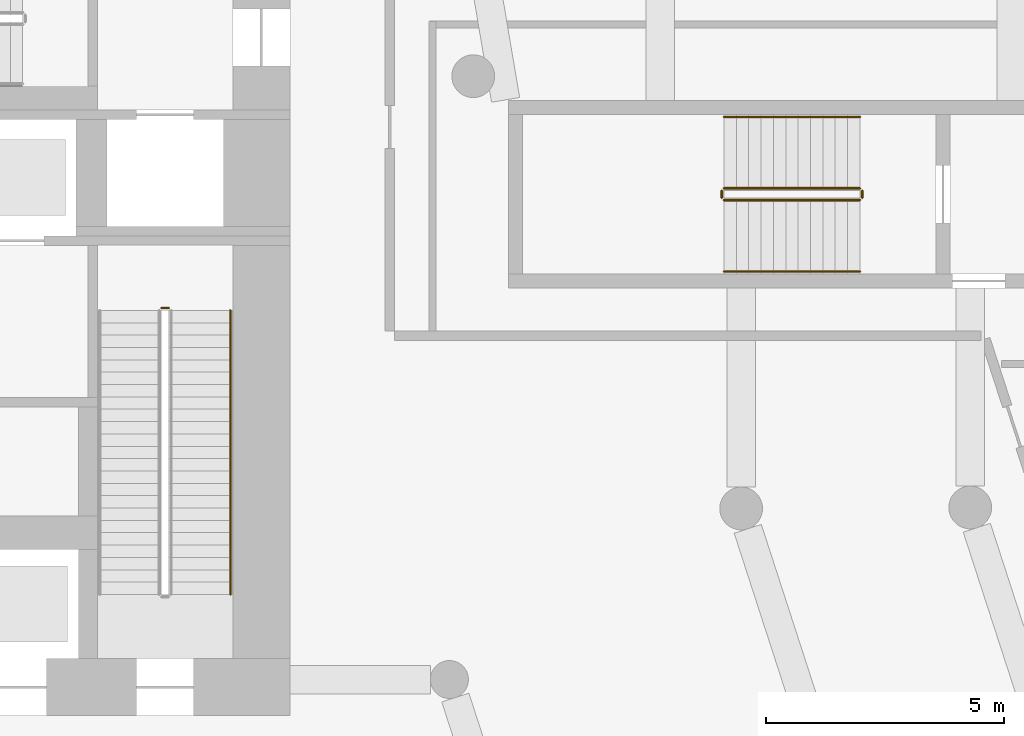
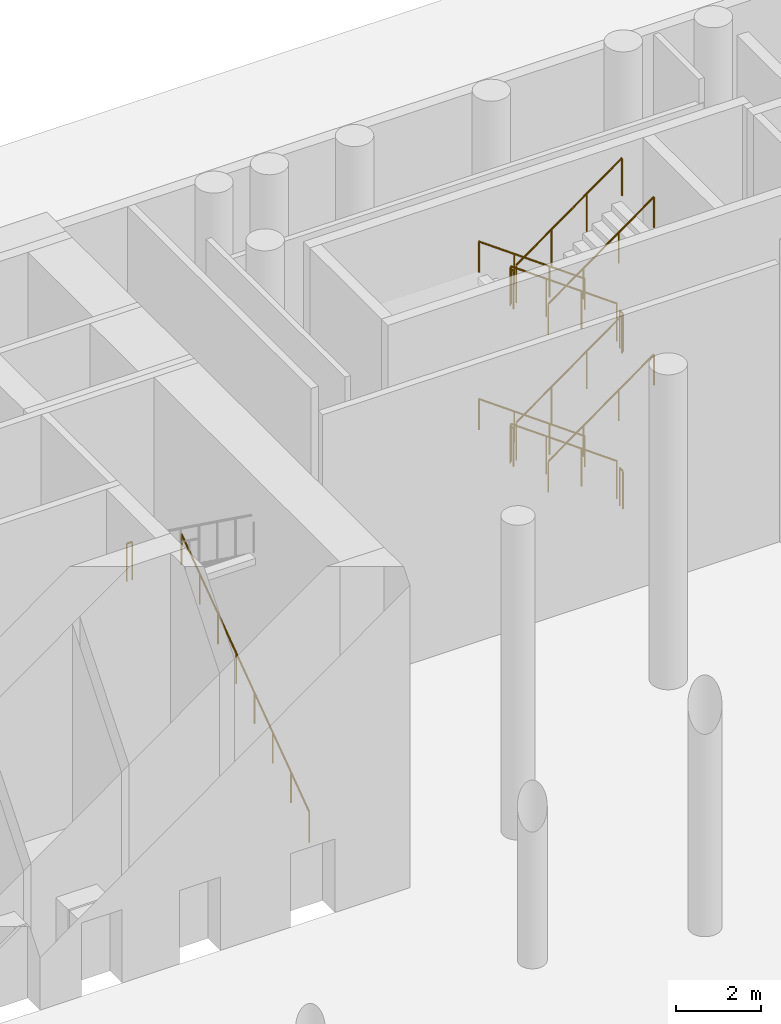
# One storey, part 24 of 25: 14 railings.
"""IFC4 building model written with IfcOpenShell, lengths in metres."""

from ifc_helpers import new_model, si_unit, direction, frame, origin, origin_2d, place, context, subcontext, project, spatial, circle, extrude, material, type_object, element, save


model = new_model("IFC4")

# Units and contexts
model_context = context("Model", 3, precision=1e-05, world=origin(), true_north=direction((0.0, 1.0)))
body_context = subcontext(model_context, "Body", "Model", "MODEL_VIEW")
ifc_project = project(units=[si_unit("LENGTHUNIT", "METRE"), si_unit("AREAUNIT", "SQUARE_METRE"), si_unit("VOLUMEUNIT", "CUBIC_METRE"), si_unit("PLANEANGLEUNIT", "RADIAN"), si_unit("MASSUNIT", "GRAM", prefix="KILO")], contexts=[model_context])

# Site, building, storey
site_placement = place(None, origin())
site = spatial("IfcSite", under=ifc_project, at=site_placement, CompositionType="ELEMENT")
building_placement = place(site_placement, origin())
building = spatial("IfcBuilding", under=site, at=building_placement, Name="White Candle Pilgrim Tower", CompositionType="ELEMENT")
storey_placement = place(building_placement, origin())
storey = spatial("IfcBuildingStorey", under=building, at=storey_placement, Name="L00", CompositionType="ELEMENT", Elevation=0.0)

# Railings
ifc_material = material(Name="Stainless steel", Category="steel")
railing_type_1 = type_object("IfcRailingType", Name="Stair guard stainless steel 1100 mm", PredefinedType="GUARDRAIL", material=ifc_material)
railing_1_placement = place(storey_placement, frame((78.449951171875, 79.580078125, 4.5)))
element("IfcRailing", 1, at=railing_1_placement, inside=storey, type_object=railing_type_1, Name="L00 ST2 stair guard 2", PredefinedType="GUARDRAIL", context=body_context, shape_type="SweptSolid", body=[
    extrude(circle(Radius=0.02392578125, at=origin_2d()), frame((0.0, 0.0, 1.076171875), z_axis=(-1.0, 0.0, 0.0), x_axis=(0.0, -1.0, 0.0)), (0.0, 0.0, 1.0), 0.14990234375),
    extrude(circle(Radius=0.02099609375, at=origin_2d()), origin(), (0.0, 0.0, 1.0), 1.052001953125),
    extrude(circle(Radius=0.02099609375, at=origin_2d()), frame((-0.14990234375, 0.0, 0.0)), (0.0, 0.0, 1.0), 1.052001953125),
])
railing_2_placement = place(storey_placement, frame((93.0, 82.10009765625, 0.1875)))
element("IfcRailing", 2, at=railing_2_placement, inside=storey, type_object=railing_type_1, Name="L00 ST11 stair guard 1", PredefinedType="GUARDRAIL", context=body_context, shape_type="SweptSolid", body=[
    extrude(circle(Radius=0.02392578125, at=origin_2d()), frame((0.0, 0.0, 1.076171875), z_axis=(-0.811100754333, 0.0, 0.584906459462), x_axis=(0.0, -1.0, 0.0)), (0.0, 0.0, 1.0), 3.526123046875),
    extrude(circle(Radius=0.02099609375, at=origin_2d()), origin(), (0.0, 0.0, 1.0), 1.052001953125),
    extrude(circle(Radius=0.02099609375, at=origin_2d()), frame((-0.953369140625, 0.0, 0.6875)), (0.0, 0.0, 1.0), 1.052001953125),
    extrude(circle(Radius=0.02099609375, at=origin_2d()), frame((-1.90673828125, 0.0, 1.375)), (0.0, 0.0, 1.0), 1.052001953125),
    extrude(circle(Radius=0.02099609375, at=origin_2d()), frame((-2.860107421875, 0.0, 2.0625)), (0.0, 0.0, 1.0), 1.052001953125),
])
railing_3_placement = place(storey_placement, frame((90.090087890625, 82.050048828125, 2.25)))
element("IfcRailing", 3, at=railing_3_placement, inside=storey, type_object=railing_type_1, Name="L00 ST11 stair guard 2", PredefinedType="GUARDRAIL", context=body_context, shape_type="SweptSolid", body=[
    extrude(circle(Radius=0.02392578125, at=origin_2d()), frame((0.0, 0.0, 1.076171875), z_axis=(0.0, -1.0, 0.0), x_axis=(1.0, 0.0, 0.0)), (0.0, 0.0, 1.0), 0.150146484375),
    extrude(circle(Radius=0.02099609375, at=origin_2d()), origin(), (0.0, 0.0, 1.0), 1.052001953125),
    extrude(circle(Radius=0.02099609375, at=origin_2d()), frame((0.0, -0.150146484375, 0.0)), (0.0, 0.0, 1.0), 1.052001953125),
])
railing_4_placement = place(storey_placement, frame((90.139892578125, 81.85009765625, 2.4375)))
element("IfcRailing", 4, at=railing_4_placement, inside=storey, type_object=railing_type_1, Name="L00 ST11 stair guard 3", PredefinedType="GUARDRAIL", context=body_context, shape_type="SweptSolid", body=[
    extrude(circle(Radius=0.02392578125, at=origin_2d()), frame((0.0, 0.0, 1.076171875), z_axis=(0.811100754333, 0.0, 0.584906459462), x_axis=(0.0, 1.0, 0.0)), (0.0, 0.0, 1.0), 3.526123046875),
    extrude(circle(Radius=0.02099609375, at=origin_2d()), origin(), (0.0, 0.0, 1.0), 1.052001953125),
    extrude(circle(Radius=0.02099609375, at=origin_2d()), frame((0.953369140625, 0.0, 0.6875)), (0.0, 0.0, 1.0), 1.052001953125),
    extrude(circle(Radius=0.02099609375, at=origin_2d()), frame((1.90673828125, 0.0, 1.375)), (0.0, 0.0, 1.0), 1.052001953125),
    extrude(circle(Radius=0.02099609375, at=origin_2d()), frame((2.860107421875, 0.0, 2.0625)), (0.0, 0.0, 1.0), 1.052001953125),
])
railing_5_placement = place(storey_placement, frame((93.050048828125, 82.050048828125, 4.5)))
element("IfcRailing", 5, at=railing_5_placement, inside=storey, type_object=railing_type_1, Name="L00 ST11 stair guard 4", PredefinedType="GUARDRAIL", context=body_context, shape_type="SweptSolid", body=[
    extrude(circle(Radius=0.02392578125, at=origin_2d()), frame((0.0, 0.0, 1.076171875), z_axis=(0.0, -1.0, 0.0), x_axis=(1.0, 0.0, 0.0)), (0.0, 0.0, 1.0), 0.150146484375),
    extrude(circle(Radius=0.02099609375, at=origin_2d()), origin(), (0.0, 0.0, 1.0), 1.052001953125),
    extrude(circle(Radius=0.02099609375, at=origin_2d()), frame((0.0, -0.150146484375, 0.0)), (0.0, 0.0, 1.0), 1.052001953125),
])
railing_6_placement = place(storey_placement, frame((93.0, 82.10009765625, 4.6875)))
element("IfcRailing", 6, at=railing_6_placement, inside=storey, type_object=railing_type_1, Name="L00 ST11 stair guard 5", PredefinedType="GUARDRAIL", context=body_context, shape_type="SweptSolid", body=[
    extrude(circle(Radius=0.02392578125, at=origin_2d()), frame((0.0, 0.0, 1.076171875), z_axis=(-0.811100754333, 0.0, 0.584906459462), x_axis=(0.0, -1.0, 0.0)), (0.0, 0.0, 1.0), 3.526123046875),
    extrude(circle(Radius=0.02099609375, at=origin_2d()), origin(), (0.0, 0.0, 1.0), 1.052001953125),
    extrude(circle(Radius=0.02099609375, at=origin_2d()), frame((-0.953369140625, 0.0, 0.6875)), (0.0, 0.0, 1.0), 1.052001953125),
    extrude(circle(Radius=0.02099609375, at=origin_2d()), frame((-1.90673828125, 0.0, 1.375)), (0.0, 0.0, 1.0), 1.052001953125),
    extrude(circle(Radius=0.02099609375, at=origin_2d()), frame((-2.860107421875, 0.0, 2.0625)), (0.0, 0.0, 1.0), 1.052001953125),
])
railing_7_placement = place(storey_placement, frame((90.090087890625, 82.050048828125, 6.75)))
element("IfcRailing", 7, at=railing_7_placement, inside=storey, type_object=railing_type_1, Name="L00 ST11 stair guard 6", PredefinedType="GUARDRAIL", context=body_context, shape_type="SweptSolid", body=[
    extrude(circle(Radius=0.02392578125, at=origin_2d()), frame((0.0, 0.0, 1.076171875), z_axis=(0.0, -1.0, 0.0), x_axis=(1.0, 0.0, 0.0)), (0.0, 0.0, 1.0), 0.150146484375),
    extrude(circle(Radius=0.02099609375, at=origin_2d()), origin(), (0.0, 0.0, 1.0), 1.052001953125),
    extrude(circle(Radius=0.02099609375, at=origin_2d()), frame((0.0, -0.150146484375, 0.0)), (0.0, 0.0, 1.0), 1.052001953125),
])
railing_8_placement = place(storey_placement, frame((90.139892578125, 81.85009765625, 6.9375)))
element("IfcRailing", 8, at=railing_8_placement, inside=storey, type_object=railing_type_1, Name="L00 ST11 stair guard 7", PredefinedType="GUARDRAIL", context=body_context, shape_type="SweptSolid", body=[
    extrude(circle(Radius=0.02392578125, at=origin_2d()), frame((0.0, 0.0, 1.076171875), z_axis=(0.811100754333, 0.0, 0.584906459462), x_axis=(0.0, 1.0, 0.0)), (0.0, 0.0, 1.0), 3.526123046875),
    extrude(circle(Radius=0.02099609375, at=origin_2d()), origin(), (0.0, 0.0, 1.0), 1.052001953125),
    extrude(circle(Radius=0.02099609375, at=origin_2d()), frame((0.953369140625, 0.0, 0.6875)), (0.0, 0.0, 1.0), 1.052001953125),
    extrude(circle(Radius=0.02099609375, at=origin_2d()), frame((1.90673828125, 0.0, 1.375)), (0.0, 0.0, 1.0), 1.052001953125),
    extrude(circle(Radius=0.02099609375, at=origin_2d()), frame((2.860107421875, 0.0, 2.0625)), (0.0, 0.0, 1.0), 1.052001953125),
])
railing_9_placement = place(storey_placement, frame((93.050048828125, 82.050048828125, 0.0)))
element("IfcRailing", 9, at=railing_9_placement, inside=storey, type_object=railing_type_1, Name="L00 ST11 stair guard 8", PredefinedType="GUARDRAIL", context=body_context, shape_type="SweptSolid", body=[
    extrude(circle(Radius=0.02392578125, at=origin_2d()), frame((0.0, 0.0, 1.076171875), z_axis=(0.0, -1.0, 0.0), x_axis=(1.0, 0.0, 0.0)), (0.0, 0.0, 1.0), 0.150146484375),
    extrude(circle(Radius=0.02099609375, at=origin_2d()), origin(), (0.0, 0.0, 1.0), 1.052001953125),
    extrude(circle(Radius=0.02099609375, at=origin_2d()), frame((0.0, -0.150146484375, 0.0)), (0.0, 0.0, 1.0), 1.052001953125),
])
railing_type_2 = type_object("IfcRailingType", Name="Stair handrail stainless steel", PredefinedType="HANDRAIL", material=ifc_material)
railing_10_placement = place(storey_placement, frame((79.75, 73.550048828125, 0.1875)))
element("IfcRailing", 10, at=railing_10_placement, inside=storey, type_object=railing_type_2, Name="L00 ST2 stair handrail 1", PredefinedType="HANDRAIL", context=body_context, shape_type="SweptSolid", body=[
    extrude(circle(Radius=0.02392578125, at=origin_2d()), frame((0.0, 0.0, 0.8759765625), z_axis=(0.0, 0.811089425434, 0.584922169138), x_axis=(-1.0, 0.0, 0.0)), (0.0, 0.0, 1.0), 7.372802734375),
    extrude(circle(Radius=0.02099609375, at=origin_2d()), origin(), (0.0, 0.0, 1.0), 0.851806640625),
    extrude(circle(Radius=0.02099609375, at=origin_2d()), frame((0.0, 0.854248046875, 0.615966796875)), (0.0, 0.0, 1.0), 0.851806640625),
    extrude(circle(Radius=0.02099609375, at=origin_2d()), frame((0.0, 1.70849609375, 1.232177734375)), (0.0, 0.0, 1.0), 0.851806640625),
    extrude(circle(Radius=0.02099609375, at=origin_2d()), frame((0.0, 2.562744140625, 1.84814453125)), (0.0, 0.0, 1.0), 0.851806640625),
    extrude(circle(Radius=0.02099609375, at=origin_2d()), frame((0.0, 3.417236328125, 2.46435546875)), (0.0, 0.0, 1.0), 0.851806640625),
    extrude(circle(Radius=0.02099609375, at=origin_2d()), frame((0.0, 4.271484375, 3.080322265625)), (0.0, 0.0, 1.0), 0.851806640625),
    extrude(circle(Radius=0.02099609375, at=origin_2d()), frame((0.0, 5.125732421875, 3.696533203125)), (0.0, 0.0, 1.0), 0.851806640625),
    extrude(circle(Radius=0.02099609375, at=origin_2d()), frame((0.0, 5.97998046875, 4.3125)), (0.0, 0.0, 1.0), 0.851806640625),
])
railing_11_placement = place(storey_placement, frame((93.0, 83.60009765625, 0.1875)))
element("IfcRailing", 11, at=railing_11_placement, inside=storey, type_object=railing_type_2, Name="L00 ST11 stair handrail 1", PredefinedType="HANDRAIL", context=body_context, shape_type="SweptSolid", body=[
    extrude(circle(Radius=0.02392578125, at=origin_2d()), frame((0.0, 0.0, 0.8759765625), z_axis=(-0.811100754333, 0.0, 0.584906459462), x_axis=(0.0, -1.0, 0.0)), (0.0, 0.0, 1.0), 3.526123046875),
    extrude(circle(Radius=0.02099609375, at=origin_2d()), origin(), (0.0, 0.0, 1.0), 0.851806640625),
    extrude(circle(Radius=0.02099609375, at=origin_2d()), frame((-0.953369140625, 0.0, 0.6875)), (0.0, 0.0, 1.0), 0.851806640625),
    extrude(circle(Radius=0.02099609375, at=origin_2d()), frame((-1.90673828125, 0.0, 1.375)), (0.0, 0.0, 1.0), 0.851806640625),
    extrude(circle(Radius=0.02099609375, at=origin_2d()), frame((-2.860107421875, 0.0, 2.0625)), (0.0, 0.0, 1.0), 0.851806640625),
])
railing_12_placement = place(storey_placement, frame((90.139892578125, 80.35009765625, 2.4375)))
element("IfcRailing", 12, at=railing_12_placement, inside=storey, type_object=railing_type_2, Name="L00 ST11 stair handrail 2", PredefinedType="HANDRAIL", context=body_context, shape_type="SweptSolid", body=[
    extrude(circle(Radius=0.02392578125, at=origin_2d()), frame((0.0, 0.0, 0.8759765625), z_axis=(0.811100754333, 0.0, 0.584906459462), x_axis=(0.0, 1.0, 0.0)), (0.0, 0.0, 1.0), 3.526123046875),
    extrude(circle(Radius=0.02099609375, at=origin_2d()), origin(), (0.0, 0.0, 1.0), 0.851806640625),
    extrude(circle(Radius=0.02099609375, at=origin_2d()), frame((0.953369140625, 0.0, 0.6875)), (0.0, 0.0, 1.0), 0.851806640625),
    extrude(circle(Radius=0.02099609375, at=origin_2d()), frame((1.90673828125, 0.0, 1.375)), (0.0, 0.0, 1.0), 0.851806640625),
    extrude(circle(Radius=0.02099609375, at=origin_2d()), frame((2.860107421875, 0.0, 2.0625)), (0.0, 0.0, 1.0), 0.851806640625),
])
railing_13_placement = place(storey_placement, frame((93.0, 83.60009765625, 4.6875)))
element("IfcRailing", 13, at=railing_13_placement, inside=storey, type_object=railing_type_2, Name="L00 ST11 stair handrail 3", PredefinedType="HANDRAIL", context=body_context, shape_type="SweptSolid", body=[
    extrude(circle(Radius=0.02392578125, at=origin_2d()), frame((0.0, 0.0, 0.8759765625), z_axis=(-0.811100754333, 0.0, 0.584906459462), x_axis=(0.0, -1.0, 0.0)), (0.0, 0.0, 1.0), 3.526123046875),
    extrude(circle(Radius=0.02099609375, at=origin_2d()), origin(), (0.0, 0.0, 1.0), 0.851806640625),
    extrude(circle(Radius=0.02099609375, at=origin_2d()), frame((-0.953369140625, 0.0, 0.6875)), (0.0, 0.0, 1.0), 0.851806640625),
    extrude(circle(Radius=0.02099609375, at=origin_2d()), frame((-1.90673828125, 0.0, 1.375)), (0.0, 0.0, 1.0), 0.851806640625),
    extrude(circle(Radius=0.02099609375, at=origin_2d()), frame((-2.860107421875, 0.0, 2.0625)), (0.0, 0.0, 1.0), 0.851806640625),
])
railing_14_placement = place(storey_placement, frame((90.139892578125, 80.35009765625, 6.9375)))
element("IfcRailing", 14, at=railing_14_placement, inside=storey, type_object=railing_type_2, Name="L00 ST11 stair handrail 4", PredefinedType="HANDRAIL", context=body_context, shape_type="SweptSolid", body=[
    extrude(circle(Radius=0.02392578125, at=origin_2d()), frame((0.0, 0.0, 0.8759765625), z_axis=(0.811100754333, 0.0, 0.584906459462), x_axis=(0.0, 1.0, 0.0)), (0.0, 0.0, 1.0), 3.526123046875),
    extrude(circle(Radius=0.02099609375, at=origin_2d()), origin(), (0.0, 0.0, 1.0), 0.851806640625),
    extrude(circle(Radius=0.02099609375, at=origin_2d()), frame((0.953369140625, 0.0, 0.6875)), (0.0, 0.0, 1.0), 0.851806640625),
    extrude(circle(Radius=0.02099609375, at=origin_2d()), frame((1.90673828125, 0.0, 1.375)), (0.0, 0.0, 1.0), 0.851806640625),
    extrude(circle(Radius=0.02099609375, at=origin_2d()), frame((2.860107421875, 0.0, 2.0625)), (0.0, 0.0, 1.0), 0.851806640625),
])

save(model, "model.ifc")
